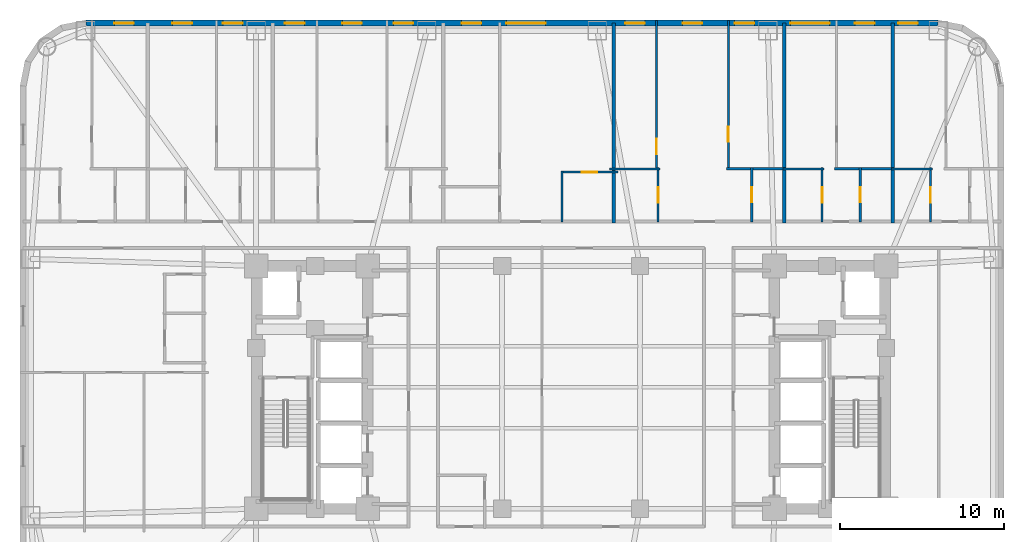
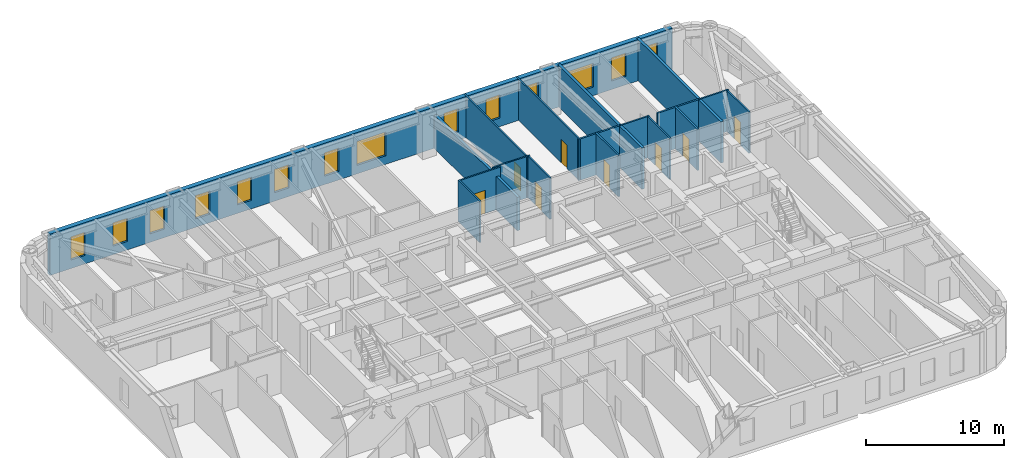
# One storey, part 8 of 11: 18 walls, 14 windows, 8 doors, 22 openings.
"""IFC4 building model written with IfcOpenShell, lengths in metres."""

from ifc_helpers import new_model, si_unit, direction, frame, frame_2d, origin, place, context, subcontext, project, spatial, rectangle, extrude, material, layer, layer_set, type_object, element, fill, save


model = new_model("IFC4")

# Units and contexts
model_context = context("Model", 3, precision=1e-05, world=origin(), true_north=direction((0.0, 1.0)))
body_context = subcontext(model_context, "Body", "Model", "MODEL_VIEW")
ifc_project = project(units=[si_unit("LENGTHUNIT", "METRE"), si_unit("AREAUNIT", "SQUARE_METRE"), si_unit("VOLUMEUNIT", "CUBIC_METRE"), si_unit("PLANEANGLEUNIT", "RADIAN"), si_unit("MASSUNIT", "GRAM", prefix="KILO")], contexts=[model_context])

# Site, building, storey
site_placement = place(None, origin())
site = spatial("IfcSite", under=ifc_project, at=site_placement, CompositionType="ELEMENT")
building_placement = place(site_placement, origin())
building = spatial("IfcBuilding", under=site, at=building_placement, Name="Voryun Gate Residences", CompositionType="ELEMENT")
storey_placement = place(building_placement, frame((0.0, 0.0, 37.699951171875)))
storey = spatial("IfcBuildingStorey", under=building, at=storey_placement, Name="L08", CompositionType="ELEMENT", Elevation=37.699951171875)

# Wall, openings, windows
ifc_material_1 = material(Name="Granite masonry", Category="masonry")
ifc_layer_1 = layer(ifc_material_1, 0.3798828125, Name="W_EXT_GRANITE_380")
ifc_layer_set_1 = layer_set([ifc_layer_1], Name="Granite masonry")
wall_type_1 = type_object("IfcWallType", Name="W_EXT_GRANITE_380", PredefinedType="ELEMENTEDWALL", material=ifc_layer_set_1)
wall_1_placement = place(storey_placement, frame((-29.581298828125, 22.2099609375, 0.0), z_axis=(0.0, 0.0, 1.0), x_axis=(1.0, 0.0, 0.0)))
wall_1 = element("IfcWall", 1, at=wall_1_placement, inside=storey, type_object=wall_type_1, Name="Exterior wall WEXT-L08-11", PredefinedType="ELEMENTEDWALL", context=body_context, shape_type="SweptSolid", body=[
    extrude(rectangle(XDim=51.962646484375, YDim=0.3798828125, at=frame_2d((25.9814453125, 0.0))), origin(), (0.0, 0.0, 1.0), 3.650146484375),
])
opening_1_placement = place(wall_1_placement, frame((25.63134765625, 0.0, 0.75)))
opening_1 = element("IfcOpeningElement", 2, at=opening_1_placement, cuts=wall_1, Name="Opening WN2", PredefinedType="OPENING", context=body_context, shape_type="SweptSolid", body=[
    extrude(rectangle(XDim=2.39990234375, YDim=2.10009765625, at=frame_2d((1.199951171875, 1.050048828125))), frame((0.0, 0.199951171875, 0.0), z_axis=(0.0, -1.0, 0.0), x_axis=(1.0, 0.0, 0.0)), (0.0, 0.0, 1.0), 0.39990234375),
])
opening_2_placement = place(wall_1_placement, frame((42.9521484375, 0.0, 0.75)))
opening_2 = element("IfcOpeningElement", 3, at=opening_2_placement, cuts=wall_1, Name="Opening WN2", PredefinedType="OPENING", context=body_context, shape_type="SweptSolid", body=[
    extrude(rectangle(XDim=2.39990234375, YDim=2.10009765625, at=frame_2d((1.199951171875, 1.050048828125))), frame((0.0, 0.199951171875, 0.0), z_axis=(0.0, -1.0, 0.0), x_axis=(1.0, 0.0, 0.0)), (0.0, 0.0, 1.0), 0.39990234375),
])
opening_3_placement = place(wall_1_placement, frame((1.731201171875, 0.0, 0.75)))
opening_3 = element("IfcOpeningElement", 4, at=opening_3_placement, cuts=wall_1, Name="Opening WN6", PredefinedType="OPENING", context=body_context, shape_type="SweptSolid", body=[
    extrude(rectangle(XDim=1.199951171875, YDim=2.050048828125, at=frame_2d((0.60009765625, 1.02490234375))), frame((0.0, 0.199951171875, 0.0), z_axis=(0.0, -1.0, 0.0), x_axis=(1.0, 0.0, 0.0)), (0.0, 0.0, 1.0), 0.39990234375),
])
opening_4_placement = place(wall_1_placement, frame((5.271728515625, 0.0, 0.75)))
opening_4 = element("IfcOpeningElement", 5, at=opening_4_placement, cuts=wall_1, Name="Opening WN6", PredefinedType="OPENING", context=body_context, shape_type="SweptSolid", body=[
    extrude(rectangle(XDim=1.199951171875, YDim=2.050048828125, at=frame_2d((0.60009765625, 1.02490234375))), frame((0.0, 0.199951171875, 0.0), z_axis=(0.0, -1.0, 0.0), x_axis=(1.0, 0.0, 0.0)), (0.0, 0.0, 1.0), 0.39990234375),
])
opening_5_placement = place(wall_1_placement, frame((8.356201171875, 0.0, 0.75)))
opening_5 = element("IfcOpeningElement", 6, at=opening_5_placement, cuts=wall_1, Name="Opening WN6", PredefinedType="OPENING", context=body_context, shape_type="SweptSolid", body=[
    extrude(rectangle(XDim=1.199951171875, YDim=2.050048828125, at=frame_2d((0.60009765625, 1.02490234375))), frame((0.0, 0.199951171875, 0.0), z_axis=(0.0, -1.0, 0.0), x_axis=(1.0, 0.0, 0.0)), (0.0, 0.0, 1.0), 0.39990234375),
])
opening_6_placement = place(wall_1_placement, frame((15.63232421875, 0.0, 0.75)))
opening_6 = element("IfcOpeningElement", 7, at=opening_6_placement, cuts=wall_1, Name="Opening WN6", PredefinedType="OPENING", context=body_context, shape_type="SweptSolid", body=[
    extrude(rectangle(XDim=1.199951171875, YDim=2.050048828125, at=frame_2d((0.60009765625, 1.02490234375))), frame((0.0, 0.199951171875, 0.0), z_axis=(0.0, -1.0, 0.0), x_axis=(1.0, 0.0, 0.0)), (0.0, 0.0, 1.0), 0.39990234375),
])
opening_7_placement = place(wall_1_placement, frame((12.13720703125, 0.0, 0.75)))
opening_7 = element("IfcOpeningElement", 8, at=opening_7_placement, cuts=wall_1, Name="Opening WN6", PredefinedType="OPENING", context=body_context, shape_type="SweptSolid", body=[
    extrude(rectangle(XDim=1.199951171875, YDim=2.050048828125, at=frame_2d((0.60009765625, 1.02490234375))), frame((0.0, 0.199951171875, 0.0), z_axis=(0.0, -1.0, 0.0), x_axis=(1.0, 0.0, 0.0)), (0.0, 0.0, 1.0), 0.39990234375),
])
opening_8_placement = place(wall_1_placement, frame((18.75634765625, 0.0, 0.75)))
opening_8 = element("IfcOpeningElement", 9, at=opening_8_placement, cuts=wall_1, Name="Opening WN6", PredefinedType="OPENING", context=body_context, shape_type="SweptSolid", body=[
    extrude(rectangle(XDim=1.199951171875, YDim=2.050048828125, at=frame_2d((0.60009765625, 1.02490234375))), frame((0.0, 0.199951171875, 0.0), z_axis=(0.0, -1.0, 0.0), x_axis=(1.0, 0.0, 0.0)), (0.0, 0.0, 1.0), 0.39990234375),
])
opening_9_placement = place(wall_1_placement, frame((22.9072265625, 0.0, 0.75)))
opening_9 = element("IfcOpeningElement", 10, at=opening_9_placement, cuts=wall_1, Name="Opening WN6", PredefinedType="OPENING", context=body_context, shape_type="SweptSolid", body=[
    extrude(rectangle(XDim=1.199951171875, YDim=2.050048828125, at=frame_2d((0.60009765625, 1.02490234375))), frame((0.0, 0.199951171875, 0.0), z_axis=(0.0, -1.0, 0.0), x_axis=(1.0, 0.0, 0.0)), (0.0, 0.0, 1.0), 0.39990234375),
])
opening_10_placement = place(wall_1_placement, frame((36.38134765625, 0.0, 0.75)))
opening_10 = element("IfcOpeningElement", 11, at=opening_10_placement, cuts=wall_1, Name="Opening WN6", PredefinedType="OPENING", context=body_context, shape_type="SweptSolid", body=[
    extrude(rectangle(XDim=1.199951171875, YDim=2.050048828125, at=frame_2d((0.60009765625, 1.02490234375))), frame((0.0, 0.199951171875, 0.0), z_axis=(0.0, -1.0, 0.0), x_axis=(1.0, 0.0, 0.0)), (0.0, 0.0, 1.0), 0.39990234375),
])
opening_11_placement = place(wall_1_placement, frame((32.88623046875, 0.0, 0.75)))
opening_11 = element("IfcOpeningElement", 12, at=opening_11_placement, cuts=wall_1, Name="Opening WN6", PredefinedType="OPENING", context=body_context, shape_type="SweptSolid", body=[
    extrude(rectangle(XDim=1.199951171875, YDim=2.050048828125, at=frame_2d((0.60009765625, 1.02490234375))), frame((0.0, 0.199951171875, 0.0), z_axis=(0.0, -1.0, 0.0), x_axis=(1.0, 0.0, 0.0)), (0.0, 0.0, 1.0), 0.39990234375),
])
opening_12_placement = place(wall_1_placement, frame((39.556396484375, 0.0, 0.75)))
opening_12 = element("IfcOpeningElement", 13, at=opening_12_placement, cuts=wall_1, Name="Opening WN6", PredefinedType="OPENING", context=body_context, shape_type="SweptSolid", body=[
    extrude(rectangle(XDim=1.199951171875, YDim=2.050048828125, at=frame_2d((0.60009765625, 1.02490234375))), frame((0.0, 0.199951171875, 0.0), z_axis=(0.0, -1.0, 0.0), x_axis=(1.0, 0.0, 0.0)), (0.0, 0.0, 1.0), 0.39990234375),
])
opening_13_placement = place(wall_1_placement, frame((46.88525390625, 0.0, 0.75)))
opening_13 = element("IfcOpeningElement", 14, at=opening_13_placement, cuts=wall_1, Name="Opening WN6", PredefinedType="OPENING", context=body_context, shape_type="SweptSolid", body=[
    extrude(rectangle(XDim=1.199951171875, YDim=2.050048828125, at=frame_2d((0.60009765625, 1.02490234375))), frame((0.0, 0.199951171875, 0.0), z_axis=(0.0, -1.0, 0.0), x_axis=(1.0, 0.0, 0.0)), (0.0, 0.0, 1.0), 0.39990234375),
])
opening_14_placement = place(wall_1_placement, frame((49.531494140625, 0.0, 0.75)))
opening_14 = element("IfcOpeningElement", 15, at=opening_14_placement, cuts=wall_1, Name="Opening WN6", PredefinedType="OPENING", context=body_context, shape_type="SweptSolid", body=[
    extrude(rectangle(XDim=1.199951171875, YDim=2.050048828125, at=frame_2d((0.60009765625, 1.02490234375))), frame((0.0, 0.199951171875, 0.0), z_axis=(0.0, -1.0, 0.0), x_axis=(1.0, 0.0, 0.0)), (0.0, 0.0, 1.0), 0.39990234375),
])
ifc_material_2 = material(Name="Laminated low-E glass", Category="glass")
window_type_1 = type_object("IfcWindowType", Name="WN_POD_SLOT_1200", PartitioningType="SINGLE_PANEL", PredefinedType="WINDOW", material=ifc_material_2)
window_1_placement = place(opening_3_placement, origin())
window_1 = element("IfcWindow", 16, at=window_1_placement, inside=storey, type_object=window_type_1, Name="Window WN-L08-DWFIX-02", OverallHeight=2.050048828125, OverallWidth=1.199951171875, PartitioningType="SINGLE_PANEL", PredefinedType="WINDOW", context=body_context, shape_type="SweptSolid", body=[
    extrude(rectangle(XDim=1.199951171875, YDim=2.050048828125, at=frame_2d((0.60009765625, 1.02490234375))), frame((0.0, 0.030029296875, 0.0), z_axis=(0.0, -1.0, 0.0), x_axis=(1.0, 0.0, 0.0)), (0.0, 0.0, 1.0), 0.06005859375),
])
fill(opening_3, window_1)
window_2_placement = place(opening_4_placement, origin())
window_2 = element("IfcWindow", 17, at=window_2_placement, inside=storey, type_object=window_type_1, Name="Window WN-L08-DWFIX-03", OverallHeight=2.050048828125, OverallWidth=1.199951171875, PartitioningType="SINGLE_PANEL", PredefinedType="WINDOW", context=body_context, shape_type="SweptSolid", body=[
    extrude(rectangle(XDim=1.199951171875, YDim=2.050048828125, at=frame_2d((0.60009765625, 1.02490234375))), frame((0.0, 0.030029296875, 0.0), z_axis=(0.0, -1.0, 0.0), x_axis=(1.0, 0.0, 0.0)), (0.0, 0.0, 1.0), 0.06005859375),
])
fill(opening_4, window_2)
window_3_placement = place(opening_5_placement, origin())
window_3 = element("IfcWindow", 18, at=window_3_placement, inside=storey, type_object=window_type_1, Name="Window WN-L08-DWFIX-04", OverallHeight=2.050048828125, OverallWidth=1.199951171875, PartitioningType="SINGLE_PANEL", PredefinedType="WINDOW", context=body_context, shape_type="SweptSolid", body=[
    extrude(rectangle(XDim=1.199951171875, YDim=2.050048828125, at=frame_2d((0.60009765625, 1.02490234375))), frame((0.0, 0.030029296875, 0.0), z_axis=(0.0, -1.0, 0.0), x_axis=(1.0, 0.0, 0.0)), (0.0, 0.0, 1.0), 0.06005859375),
])
fill(opening_5, window_3)
window_4_placement = place(opening_6_placement, origin())
window_4 = element("IfcWindow", 19, at=window_4_placement, inside=storey, type_object=window_type_1, Name="Window WN-L08-DWFIX-05", OverallHeight=2.050048828125, OverallWidth=1.199951171875, PartitioningType="SINGLE_PANEL", PredefinedType="WINDOW", context=body_context, shape_type="SweptSolid", body=[
    extrude(rectangle(XDim=1.199951171875, YDim=2.050048828125, at=frame_2d((0.60009765625, 1.02490234375))), frame((0.0, 0.030029296875, 0.0), z_axis=(0.0, -1.0, 0.0), x_axis=(1.0, 0.0, 0.0)), (0.0, 0.0, 1.0), 0.06005859375),
])
fill(opening_6, window_4)
window_5_placement = place(opening_7_placement, origin())
window_5 = element("IfcWindow", 20, at=window_5_placement, inside=storey, type_object=window_type_1, Name="Window WN-L08-DWFIX-06", OverallHeight=2.050048828125, OverallWidth=1.199951171875, PartitioningType="SINGLE_PANEL", PredefinedType="WINDOW", context=body_context, shape_type="SweptSolid", body=[
    extrude(rectangle(XDim=1.199951171875, YDim=2.050048828125, at=frame_2d((0.60009765625, 1.02490234375))), frame((0.0, 0.030029296875, 0.0), z_axis=(0.0, -1.0, 0.0), x_axis=(1.0, 0.0, 0.0)), (0.0, 0.0, 1.0), 0.06005859375),
])
fill(opening_7, window_5)
window_6_placement = place(opening_8_placement, origin())
window_6 = element("IfcWindow", 21, at=window_6_placement, inside=storey, type_object=window_type_1, Name="Window WN-L08-DWFIX-07", OverallHeight=2.050048828125, OverallWidth=1.199951171875, PartitioningType="SINGLE_PANEL", PredefinedType="WINDOW", context=body_context, shape_type="SweptSolid", body=[
    extrude(rectangle(XDim=1.199951171875, YDim=2.050048828125, at=frame_2d((0.60009765625, 1.02490234375))), frame((0.0, 0.030029296875, 0.0), z_axis=(0.0, -1.0, 0.0), x_axis=(1.0, 0.0, 0.0)), (0.0, 0.0, 1.0), 0.06005859375),
])
fill(opening_8, window_6)
window_7_placement = place(opening_9_placement, origin())
window_7 = element("IfcWindow", 22, at=window_7_placement, inside=storey, type_object=window_type_1, Name="Window WN-L08-DWFIX-08", OverallHeight=2.050048828125, OverallWidth=1.199951171875, PartitioningType="SINGLE_PANEL", PredefinedType="WINDOW", context=body_context, shape_type="SweptSolid", body=[
    extrude(rectangle(XDim=1.199951171875, YDim=2.050048828125, at=frame_2d((0.60009765625, 1.02490234375))), frame((0.0, 0.030029296875, 0.0), z_axis=(0.0, -1.0, 0.0), x_axis=(1.0, 0.0, 0.0)), (0.0, 0.0, 1.0), 0.06005859375),
])
fill(opening_9, window_7)
window_8_placement = place(opening_10_placement, origin())
window_8 = element("IfcWindow", 23, at=window_8_placement, inside=storey, type_object=window_type_1, Name="Window WN-L08-DWFIX-09", OverallHeight=2.050048828125, OverallWidth=1.199951171875, PartitioningType="SINGLE_PANEL", PredefinedType="WINDOW", context=body_context, shape_type="SweptSolid", body=[
    extrude(rectangle(XDim=1.199951171875, YDim=2.050048828125, at=frame_2d((0.60009765625, 1.02490234375))), frame((0.0, 0.030029296875, 0.0), z_axis=(0.0, -1.0, 0.0), x_axis=(1.0, 0.0, 0.0)), (0.0, 0.0, 1.0), 0.06005859375),
])
fill(opening_10, window_8)
window_9_placement = place(opening_11_placement, origin())
window_9 = element("IfcWindow", 24, at=window_9_placement, inside=storey, type_object=window_type_1, Name="Window WN-L08-DWFIX-10", OverallHeight=2.050048828125, OverallWidth=1.199951171875, PartitioningType="SINGLE_PANEL", PredefinedType="WINDOW", context=body_context, shape_type="SweptSolid", body=[
    extrude(rectangle(XDim=1.199951171875, YDim=2.050048828125, at=frame_2d((0.60009765625, 1.02490234375))), frame((0.0, 0.030029296875, 0.0), z_axis=(0.0, -1.0, 0.0), x_axis=(1.0, 0.0, 0.0)), (0.0, 0.0, 1.0), 0.06005859375),
])
fill(opening_11, window_9)
window_10_placement = place(opening_12_placement, origin())
window_10 = element("IfcWindow", 25, at=window_10_placement, inside=storey, type_object=window_type_1, Name="Window WN-L08-DWFIX-11", OverallHeight=2.050048828125, OverallWidth=1.199951171875, PartitioningType="SINGLE_PANEL", PredefinedType="WINDOW", context=body_context, shape_type="SweptSolid", body=[
    extrude(rectangle(XDim=1.199951171875, YDim=2.050048828125, at=frame_2d((0.60009765625, 1.02490234375))), frame((0.0, 0.030029296875, 0.0), z_axis=(0.0, -1.0, 0.0), x_axis=(1.0, 0.0, 0.0)), (0.0, 0.0, 1.0), 0.06005859375),
])
fill(opening_12, window_10)
window_11_placement = place(opening_13_placement, origin())
window_11 = element("IfcWindow", 26, at=window_11_placement, inside=storey, type_object=window_type_1, Name="Window WN-L08-DWFIX-12", OverallHeight=2.050048828125, OverallWidth=1.199951171875, PartitioningType="SINGLE_PANEL", PredefinedType="WINDOW", context=body_context, shape_type="SweptSolid", body=[
    extrude(rectangle(XDim=1.199951171875, YDim=2.050048828125, at=frame_2d((0.60009765625, 1.02490234375))), frame((0.0, 0.030029296875, 0.0), z_axis=(0.0, -1.0, 0.0), x_axis=(1.0, 0.0, 0.0)), (0.0, 0.0, 1.0), 0.06005859375),
])
fill(opening_13, window_11)
window_12_placement = place(opening_14_placement, origin())
window_12 = element("IfcWindow", 27, at=window_12_placement, inside=storey, type_object=window_type_1, Name="Window WN-L08-DWFIX-13", OverallHeight=2.050048828125, OverallWidth=1.199951171875, PartitioningType="SINGLE_PANEL", PredefinedType="WINDOW", context=body_context, shape_type="SweptSolid", body=[
    extrude(rectangle(XDim=1.199951171875, YDim=2.050048828125, at=frame_2d((0.60009765625, 1.02490234375))), frame((0.0, 0.030029296875, 0.0), z_axis=(0.0, -1.0, 0.0), x_axis=(1.0, 0.0, 0.0)), (0.0, 0.0, 1.0), 0.06005859375),
])
fill(opening_14, window_12)
ifc_material_3 = material(Name="Laminated low-E glass", Category="glass")
window_type_2 = type_object("IfcWindowType", Name="WN_RES_WIDE_2400", PartitioningType="SINGLE_PANEL", PredefinedType="WINDOW", material=ifc_material_3)
window_13_placement = place(opening_1_placement, origin())
window_13 = element("IfcWindow", 28, at=window_13_placement, inside=storey, type_object=window_type_2, Name="Window WN-WEXT-L08-11-02", OverallHeight=2.10009765625, OverallWidth=2.39990234375, PartitioningType="SINGLE_PANEL", PredefinedType="WINDOW", context=body_context, shape_type="SweptSolid", body=[
    extrude(rectangle(XDim=2.39990234375, YDim=2.10009765625, at=frame_2d((1.199951171875, 1.050048828125))), frame((0.0, 0.030029296875, 0.0), z_axis=(0.0, -1.0, 0.0), x_axis=(1.0, 0.0, 0.0)), (0.0, 0.0, 1.0), 0.06005859375),
])
fill(opening_1, window_13)
window_14_placement = place(opening_2_placement, origin())
window_14 = element("IfcWindow", 29, at=window_14_placement, inside=storey, type_object=window_type_2, Name="Window WN-WEXT-L08-11-03", OverallHeight=2.10009765625, OverallWidth=2.39990234375, PartitioningType="SINGLE_PANEL", PredefinedType="WINDOW", context=body_context, shape_type="SweptSolid", body=[
    extrude(rectangle(XDim=2.39990234375, YDim=2.10009765625, at=frame_2d((1.199951171875, 1.050048828125))), frame((0.0, 0.030029296875, 0.0), z_axis=(0.0, -1.0, 0.0), x_axis=(1.0, 0.0, 0.0)), (0.0, 0.0, 1.0), 0.06005859375),
])
fill(opening_2, window_14)

# Walls
ifc_material_4 = material(Name="Concrete C40/50", Category="concrete")
ifc_layer_2 = layer(ifc_material_4, 0.219970703125, Name="W_PARTY_ACOUSTIC_220")
ifc_layer_set_2 = layer_set([ifc_layer_2], Name="Concrete C40/50")
wall_type_2 = type_object("IfcWallType", Name="W_PARTY_ACOUSTIC_220", PredefinedType="PARTITIONING", material=ifc_layer_set_2)
wall_2_placement = place(storey_placement, frame((2.60009765625, 10.02001953125, 0.0), z_axis=(0.0, 0.0, 1.0), x_axis=(0.0, 1.0, 0.0)))
element("IfcWall", 30, at=wall_2_placement, inside=storey, type_object=wall_type_2, Name="Partition wall WP-L08-NPTY-4", PredefinedType="PARTITIONING", context=body_context, shape_type="SweptSolid", body=[
    extrude(rectangle(XDim=12.18994140625, YDim=0.219970703125, at=frame_2d((6.094970703125, 0.0))), origin(), (0.0, 0.0, 1.0), 2.93994140625),
])
for number, where, z_axis, x_axis, name in (
    (31, (13.0, 10.02001953125, 0.0), (0.0, 0.0, 1.0), (0.0, 1.0, 0.0), "Partition wall WP-L08-NPTY-5"),
    (32, (19.60888671875, 10.02001953125, 0.0), (0.0, 0.0, 1.0), (0.0, 1.0, 0.0), "Partition wall WP-L08-NPTY-6"),
):
    element("IfcWall", number, at=place(storey_placement, frame(where, z_axis=z_axis, x_axis=x_axis)), inside=storey, type_object=wall_type_2, Name=name, PredefinedType="PARTITIONING", context=body_context, shape_type="SweptSolid", body=[
        extrude(rectangle(XDim=12.18994140625, YDim=0.219970703125, at=frame_2d((6.094970703125, 0.0))), origin(), (0.0, 0.0, 1.0), 3.650146484375),
    ])

# Wall, opening, door
ifc_material_5 = material(Name="Gypsum acoustic partition")
ifc_layer_3 = layer(ifc_material_5, 0.125, Name="W_UNIT_PART_125")
ifc_layer_set_3 = layer_set([ifc_layer_3], Name="Gypsum acoustic partition")
wall_type_3 = type_object("IfcWallType", Name="W_UNIT_PART_125", PredefinedType="PARTITIONING", material=ifc_layer_set_3)
wall_3_placement = place(storey_placement, frame((-0.6201171875, 13.1201171875, 0.0), z_axis=(0.0, 0.0, 1.0), x_axis=(1.0, 0.0, 0.0)))
wall_3 = element("IfcWall", 33, at=wall_3_placement, inside=storey, type_object=wall_type_3, Name="Partition wall WP-L08-N4-KHY", PredefinedType="PARTITIONING", context=body_context, shape_type="SweptSolid", body=[
    extrude(rectangle(XDim=3.480224609375, YDim=0.125, at=frame_2d((1.740234375, 0.0))), origin(), (0.0, 0.0, 1.0), 3.650146484375),
])
opening_15_placement = place(wall_3_placement, frame((1.264892578125, 0.0, 0.0)))
opening_15 = element("IfcOpeningElement", 34, at=opening_15_placement, cuts=wall_3, Name="Opening D-INT-1", PredefinedType="OPENING", context=body_context, shape_type="SweptSolid", body=[
    extrude(rectangle(XDim=0.949951171875, YDim=2.050048828125, at=frame_2d((0.47509765625, 1.02490234375))), frame((0.0, 0.072509765625, 0.0), z_axis=(0.0, -1.0, 0.0), x_axis=(1.0, 0.0, 0.0)), (0.0, 0.0, 1.0), 0.14501953125),
])
ifc_material_6 = material(Name="Architectural oak veneer")
door_type_1 = type_object("IfcDoorType", Name="DR_INT_ROOM_950", OperationType="NOTDEFINED", PredefinedType="DOOR", material=ifc_material_6)
door_1_placement = place(opening_15_placement, origin())
door_1 = element("IfcDoor", 35, at=door_1_placement, inside=storey, type_object=door_type_1, Name="Door DR-L08-N4-DK", OperationType="SINGLE_SWING_LEFT", OverallHeight=2.050048828125, OverallWidth=0.949951171875, PredefinedType="DOOR", context=body_context, shape_type="SweptSolid", body=[
    extrude(rectangle(XDim=0.949951171875, YDim=2.050048828125, at=frame_2d((0.47509765625, 1.02490234375))), frame((0.0, 0.02490234375, 0.0), z_axis=(0.0, -1.0, 0.0), x_axis=(1.0, 0.0, 0.0)), (0.0, 0.0, 1.0), 0.050048828125),
])
fill(opening_15, door_1)

# Wall
wall_4_placement = place(storey_placement, frame((-0.56005859375, 10.080078125, 0.0), z_axis=(0.0, 0.0, 1.0), x_axis=(0.0, 1.0, 0.0)))
element("IfcWall", 36, at=wall_4_placement, inside=storey, type_object=wall_type_3, Name="Partition wall WP-L08-N4-KVX", PredefinedType="PARTITIONING", context=body_context, shape_type="SweptSolid", body=[
    extrude(rectangle(XDim=3.099853515625, YDim=0.125, at=frame_2d((1.5498046875, 0.0))), origin(), (0.0, 0.0, 1.0), 3.650146484375),
])

# Wall, opening, door
wall_5_placement = place(storey_placement, frame((5.2099609375, 13.239990234375, 0.0), z_axis=(0.0, 0.0, 1.0), x_axis=(0.0, 1.0, 0.0)))
wall_5 = element("IfcWall", 37, at=wall_5_placement, inside=storey, type_object=wall_type_3, Name="Partition wall WP-L08-N5-OVL", PredefinedType="PARTITIONING", context=body_context, shape_type="SweptSolid", body=[
    extrude(rectangle(XDim=9.1201171875, YDim=0.125, at=frame_2d((4.56005859375, 0.0))), origin(), (0.0, 0.0, 1.0), 3.650146484375),
])
opening_16_placement = place(wall_5_placement, frame((0.984130859375, 0.0, 0.0)))
opening_16 = element("IfcOpeningElement", 38, at=opening_16_placement, cuts=wall_5, Name="Opening D-INT-1", PredefinedType="OPENING", context=body_context, shape_type="SweptSolid", body=[
    extrude(rectangle(XDim=0.949951171875, YDim=2.050048828125, at=frame_2d((0.47509765625, 1.02490234375))), frame((0.0, 0.072509765625, 0.0), z_axis=(0.0, -1.0, 0.0), x_axis=(1.0, 0.0, 0.0)), (0.0, 0.0, 1.0), 0.14501953125),
])
door_2_placement = place(opening_16_placement, origin())
door_2 = element("IfcDoor", 39, at=door_2_placement, inside=storey, type_object=door_type_1, Name="Door DR-L08-N5-DB2", OperationType="SINGLE_SWING_LEFT", OverallHeight=2.050048828125, OverallWidth=0.949951171875, PredefinedType="DOOR", context=body_context, shape_type="SweptSolid", body=[
    extrude(rectangle(XDim=0.949951171875, YDim=2.050048828125, at=frame_2d((0.47509765625, 1.02490234375))), frame((0.0, 0.02490234375, 0.0), z_axis=(0.0, -1.0, 0.0), x_axis=(1.0, 0.0, 0.0)), (0.0, 0.0, 1.0), 0.050048828125),
])
fill(opening_16, door_2)

wall_6_placement = place(storey_placement, frame((9.590087890625, 13.239990234375, 0.0), z_axis=(0.0, 0.0, 1.0), x_axis=(0.0, 1.0, 0.0)))
wall_6 = element("IfcWall", 40, at=wall_6_placement, inside=storey, type_object=wall_type_3, Name="Partition wall WP-L08-N5-OVR", PredefinedType="PARTITIONING", context=body_context, shape_type="SweptSolid", body=[
    extrude(rectangle(XDim=9.1201171875, YDim=0.125, at=frame_2d((4.56005859375, 0.0))), origin(), (0.0, 0.0, 1.0), 3.650146484375),
])
opening_17_placement = place(wall_6_placement, frame((1.73876953125, 0.0, 0.0)))
opening_17 = element("IfcOpeningElement", 41, at=opening_17_placement, cuts=wall_6, Name="Opening D-INT-2", PredefinedType="OPENING", context=body_context, shape_type="SweptSolid", body=[
    extrude(rectangle(XDim=0.89990234375, YDim=2.050048828125, at=frame_2d((0.449951171875, 1.02490234375))), frame((0.0, 0.072509765625, 0.0), z_axis=(0.0, -1.0, 0.0), x_axis=(1.0, 0.0, 0.0)), (0.0, 0.0, 1.0), 0.14501953125),
])
ifc_material_7 = material(Name="Architectural oak veneer")
door_type_2 = type_object("IfcDoorType", Name="DR_INT_BATH_900", OperationType="NOTDEFINED", PredefinedType="DOOR", material=ifc_material_7)
door_3_placement = place(opening_17_placement, origin())
door_3 = element("IfcDoor", 42, at=door_3_placement, inside=storey, type_object=door_type_2, Name="Door DR-L08-N5-DMB", OperationType="SINGLE_SWING_RIGHT", OverallHeight=2.050048828125, OverallWidth=0.89990234375, PredefinedType="DOOR", context=body_context, shape_type="SweptSolid", body=[
    extrude(rectangle(XDim=0.89990234375, YDim=2.050048828125, at=frame_2d((0.449951171875, 1.02490234375))), frame((0.0, 0.02490234375, 0.0), z_axis=(0.0, -1.0, 0.0), x_axis=(1.0, 0.0, 0.0)), (0.0, 0.0, 1.0), 0.050048828125),
])
fill(opening_17, door_3)

wall_7_placement = place(storey_placement, frame((5.31201171875, 10.080078125, 0.0), z_axis=(0.0, 0.0, 1.0), x_axis=(0.0, 1.0, 0.0)))
wall_7 = element("IfcWall", 43, at=wall_7_placement, inside=storey, type_object=wall_type_3, Name="Partition wall WP-L08-N5-IVK", PredefinedType="PARTITIONING", context=body_context, shape_type="SweptSolid", body=[
    extrude(rectangle(XDim=3.31982421875, YDim=0.125, at=frame_2d((1.659912109375, 0.0))), origin(), (0.0, 0.0, 1.0), 3.650146484375),
])
opening_18_placement = place(wall_7_placement, frame((1.18505859375, 0.0, 0.0)))
opening_18 = element("IfcOpeningElement", 44, at=opening_18_placement, cuts=wall_7, Name="Opening D-INT-1", PredefinedType="OPENING", context=body_context, shape_type="SweptSolid", body=[
    extrude(rectangle(XDim=0.949951171875, YDim=2.050048828125, at=frame_2d((0.47509765625, 1.02490234375))), frame((0.0, 0.072509765625, 0.0), z_axis=(0.0, -1.0, 0.0), x_axis=(1.0, 0.0, 0.0)), (0.0, 0.0, 1.0), 0.14501953125),
])
door_4_placement = place(opening_18_placement, origin())
door_4 = element("IfcDoor", 45, at=door_4_placement, inside=storey, type_object=door_type_1, Name="Door DR-L08-N5-DK", OperationType="SINGLE_SWING_LEFT", OverallHeight=2.050048828125, OverallWidth=0.949951171875, PredefinedType="DOOR", context=body_context, shape_type="SweptSolid", body=[
    extrude(rectangle(XDim=0.949951171875, YDim=2.050048828125, at=frame_2d((0.47509765625, 1.02490234375))), frame((0.0, 0.02490234375, 0.0), z_axis=(0.0, -1.0, 0.0), x_axis=(1.0, 0.0, 0.0)), (0.0, 0.0, 1.0), 0.050048828125),
])
fill(opening_18, door_4)

# Wall
wall_8_placement = place(storey_placement, frame((2.340087890625, 13.320068359375, 0.0), z_axis=(0.0, 0.0, 1.0), x_axis=(1.0, 0.0, 0.0)))
element("IfcWall", 46, at=wall_8_placement, inside=storey, type_object=wall_type_3, Name="Partition wall WP-L08-N5-HZK", PredefinedType="PARTITIONING", context=body_context, shape_type="SweptSolid", body=[
    extrude(rectangle(XDim=3.091796875, YDim=0.125, at=frame_2d((1.5458984375, 0.0))), origin(), (0.0, 0.0, 1.0), 3.650146484375),
])

# Wall, opening, door
wall_9_placement = place(storey_placement, frame((15.31005859375, 10.080078125, 0.0), z_axis=(0.0, 0.0, 1.0), x_axis=(0.0, 1.0, 0.0)))
wall_9 = element("IfcWall", 47, at=wall_9_placement, inside=storey, type_object=wall_type_3, Name="Partition wall WP-L08-N6-IVK", PredefinedType="PARTITIONING", context=body_context, shape_type="SweptSolid", body=[
    extrude(rectangle(XDim=3.31982421875, YDim=0.125, at=frame_2d((1.659912109375, 0.0))), origin(), (0.0, 0.0, 1.0), 3.650146484375),
])
opening_19_placement = place(wall_9_placement, frame((1.18505859375, 0.0, 0.0)))
opening_19 = element("IfcOpeningElement", 48, at=opening_19_placement, cuts=wall_9, Name="Opening D-INT-1", PredefinedType="OPENING", context=body_context, shape_type="SweptSolid", body=[
    extrude(rectangle(XDim=0.949951171875, YDim=2.050048828125, at=frame_2d((0.47509765625, 1.02490234375))), frame((0.0, 0.072509765625, 0.0), z_axis=(0.0, -1.0, 0.0), x_axis=(1.0, 0.0, 0.0)), (0.0, 0.0, 1.0), 0.14501953125),
])
door_5_placement = place(opening_19_placement, origin())
door_5 = element("IfcDoor", 49, at=door_5_placement, inside=storey, type_object=door_type_1, Name="Door DR-L08-N6-DK", OperationType="SINGLE_SWING_LEFT", OverallHeight=2.050048828125, OverallWidth=0.949951171875, PredefinedType="DOOR", context=body_context, shape_type="SweptSolid", body=[
    extrude(rectangle(XDim=0.949951171875, YDim=2.050048828125, at=frame_2d((0.47509765625, 1.02490234375))), frame((0.0, 0.02490234375, 0.0), z_axis=(0.0, -1.0, 0.0), x_axis=(1.0, 0.0, 0.0)), (0.0, 0.0, 1.0), 0.050048828125),
])
fill(opening_19, door_5)

# Wall
wall_10_placement = place(storey_placement, frame((12.925048828125, 13.320068359375, 0.0), z_axis=(0.0, 0.0, 1.0), x_axis=(1.0, 0.0, 0.0)))
element("IfcWall", 50, at=wall_10_placement, inside=storey, type_object=wall_type_3, Name="Partition wall WP-L08-N6-HZK", PredefinedType="PARTITIONING", context=body_context, shape_type="SweptSolid", body=[
    extrude(rectangle(XDim=2.5048828125, YDim=0.125, at=frame_2d((1.25244140625, 0.0))), origin(), (0.0, 0.0, 1.0), 3.650146484375),
])

# Wall, opening, door
wall_11_placement = place(storey_placement, frame((21.9189453125, 10.080078125, 0.0), z_axis=(0.0, 0.0, 1.0), x_axis=(0.0, 1.0, 0.0)))
wall_11 = element("IfcWall", 51, at=wall_11_placement, inside=storey, type_object=wall_type_3, Name="Partition wall WP-L08-N7-IVK", PredefinedType="PARTITIONING", context=body_context, shape_type="SweptSolid", body=[
    extrude(rectangle(XDim=3.31982421875, YDim=0.125, at=frame_2d((1.659912109375, 0.0))), origin(), (0.0, 0.0, 1.0), 3.650146484375),
])
opening_20_placement = place(wall_11_placement, frame((1.18505859375, 0.0, 0.0)))
opening_20 = element("IfcOpeningElement", 52, at=opening_20_placement, cuts=wall_11, Name="Opening D-INT-1", PredefinedType="OPENING", context=body_context, shape_type="SweptSolid", body=[
    extrude(rectangle(XDim=0.949951171875, YDim=2.050048828125, at=frame_2d((0.47509765625, 1.02490234375))), frame((0.0, 0.072509765625, 0.0), z_axis=(0.0, -1.0, 0.0), x_axis=(1.0, 0.0, 0.0)), (0.0, 0.0, 1.0), 0.14501953125),
])
door_6_placement = place(opening_20_placement, origin())
door_6 = element("IfcDoor", 53, at=door_6_placement, inside=storey, type_object=door_type_1, Name="Door DR-L08-N7-DK", OperationType="SINGLE_SWING_LEFT", OverallHeight=2.050048828125, OverallWidth=0.949951171875, PredefinedType="DOOR", context=body_context, shape_type="SweptSolid", body=[
    extrude(rectangle(XDim=0.949951171875, YDim=2.050048828125, at=frame_2d((0.47509765625, 1.02490234375))), frame((0.0, 0.02490234375, 0.0), z_axis=(0.0, -1.0, 0.0), x_axis=(1.0, 0.0, 0.0)), (0.0, 0.0, 1.0), 0.050048828125),
])
fill(opening_20, door_6)

# Walls
wall_12_placement = place(storey_placement, frame((19.533935546875, 13.320068359375, 0.0), z_axis=(0.0, 0.0, 1.0), x_axis=(1.0, 0.0, 0.0)))
element("IfcWall", 54, at=wall_12_placement, inside=storey, type_object=wall_type_3, Name="Partition wall WP-L08-N7-HZK", PredefinedType="PARTITIONING", context=body_context, shape_type="SweptSolid", body=[
    extrude(rectangle(XDim=2.505126953125, YDim=0.125, at=frame_2d((1.25244140625, 0.0))), origin(), (0.0, 0.0, 1.0), 3.650146484375),
])
ifc_material_8 = material(Name="Gypsum moisture-resistant partition")
ifc_layer_4 = layer(ifc_material_8, 0.14990234375, Name="W_WET_PLUMB_150")
ifc_layer_set_4 = layer_set([ifc_layer_4], Name="Gypsum moisture-resistant partition")
wall_type_4 = type_object("IfcWallType", Name="W_WET_PLUMB_150", PredefinedType="PLUMBINGWALL", material=ifc_layer_set_4)
wall_13_placement = place(storey_placement, frame((9.469970703125, 13.320068359375, 0.0), z_axis=(0.0, 0.0, 1.0), x_axis=(1.0, 0.0, 0.0)))
element("IfcWall", 55, at=wall_13_placement, inside=storey, type_object=wall_type_4, Name="Partition wall WP-L08-N5-HZB", PredefinedType="PLUMBINGWALL", context=body_context, shape_type="SweptSolid", body=[
    extrude(rectangle(XDim=3.60498046875, YDim=0.14990234375, at=frame_2d((1.802490234375, 0.0))), origin(), (0.0, 0.0, 1.0), 3.650146484375),
])

# Wall, opening, door
wall_14_placement = place(storey_placement, frame((11.02001953125, 10.080078125, 0.0), z_axis=(0.0, 0.0, 1.0), x_axis=(0.0, 1.0, 0.0)))
wall_14 = element("IfcWall", 56, at=wall_14_placement, inside=storey, type_object=wall_type_4, Name="Partition wall WP-L08-N5-IVB", PredefinedType="PLUMBINGWALL", context=body_context, shape_type="SweptSolid", body=[
    extrude(rectangle(XDim=3.31982421875, YDim=0.14990234375, at=frame_2d((1.659912109375, 0.0))), origin(), (0.0, 0.0, 1.0), 3.650146484375),
])
opening_21_placement = place(wall_14_placement, frame((1.2099609375, 0.0, 0.0)))
opening_21 = element("IfcOpeningElement", 57, at=opening_21_placement, cuts=wall_14, Name="Opening D-INT-2", PredefinedType="OPENING", context=body_context, shape_type="SweptSolid", body=[
    extrude(rectangle(XDim=0.89990234375, YDim=2.050048828125, at=frame_2d((0.449951171875, 1.02490234375))), frame((0.0, 0.0849609375, 0.0), z_axis=(0.0, -1.0, 0.0), x_axis=(1.0, 0.0, 0.0)), (0.0, 0.0, 1.0), 0.169921875),
])
door_7_placement = place(opening_21_placement, origin())
door_7 = element("IfcDoor", 58, at=door_7_placement, inside=storey, type_object=door_type_2, Name="Door DR-L08-N5-DB", OperationType="SINGLE_SWING_RIGHT", OverallHeight=2.050048828125, OverallWidth=0.89990234375, PredefinedType="DOOR", context=body_context, shape_type="SweptSolid", body=[
    extrude(rectangle(XDim=0.89990234375, YDim=2.050048828125, at=frame_2d((0.449951171875, 1.02490234375))), frame((0.0, 0.02490234375, 0.0), z_axis=(0.0, -1.0, 0.0), x_axis=(1.0, 0.0, 0.0)), (0.0, 0.0, 1.0), 0.050048828125),
])
fill(opening_21, door_7)

# Wall
wall_15_placement = place(storey_placement, frame((16.0791015625, 13.320068359375, 0.0), z_axis=(0.0, 0.0, 1.0), x_axis=(1.0, 0.0, 0.0)))
element("IfcWall", 59, at=wall_15_placement, inside=storey, type_object=wall_type_4, Name="Partition wall WP-L08-N6-HZB", PredefinedType="PLUMBINGWALL", context=body_context, shape_type="SweptSolid", body=[
    extrude(rectangle(XDim=3.60498046875, YDim=0.14990234375, at=frame_2d((1.802490234375, 0.0))), origin(), (0.0, 0.0, 1.0), 3.650146484375),
])

# Wall, opening, door
wall_16_placement = place(storey_placement, frame((17.62890625, 10.080078125, 0.0), z_axis=(0.0, 0.0, 1.0), x_axis=(0.0, 1.0, 0.0)))
wall_16 = element("IfcWall", 60, at=wall_16_placement, inside=storey, type_object=wall_type_4, Name="Partition wall WP-L08-N6-IVB", PredefinedType="PLUMBINGWALL", context=body_context, shape_type="SweptSolid", body=[
    extrude(rectangle(XDim=3.31982421875, YDim=0.14990234375, at=frame_2d((1.659912109375, 0.0))), origin(), (0.0, 0.0, 1.0), 3.650146484375),
])
opening_22_placement = place(wall_16_placement, frame((1.2099609375, 0.0, 0.0)))
opening_22 = element("IfcOpeningElement", 61, at=opening_22_placement, cuts=wall_16, Name="Opening D-INT-2", PredefinedType="OPENING", context=body_context, shape_type="SweptSolid", body=[
    extrude(rectangle(XDim=0.89990234375, YDim=2.050048828125, at=frame_2d((0.449951171875, 1.02490234375))), frame((0.0, 0.0849609375, 0.0), z_axis=(0.0, -1.0, 0.0), x_axis=(1.0, 0.0, 0.0)), (0.0, 0.0, 1.0), 0.169921875),
])
door_8_placement = place(opening_22_placement, origin())
door_8 = element("IfcDoor", 62, at=door_8_placement, inside=storey, type_object=door_type_2, Name="Door DR-L08-N6-DB", OperationType="SINGLE_SWING_RIGHT", OverallHeight=2.050048828125, OverallWidth=0.89990234375, PredefinedType="DOOR", context=body_context, shape_type="SweptSolid", body=[
    extrude(rectangle(XDim=0.89990234375, YDim=2.050048828125, at=frame_2d((0.449951171875, 1.02490234375))), frame((0.0, 0.02490234375, 0.0), z_axis=(0.0, -1.0, 0.0), x_axis=(1.0, 0.0, 0.0)), (0.0, 0.0, 1.0), 0.050048828125),
])
fill(opening_22, door_8)

save(model, "model.ifc")
